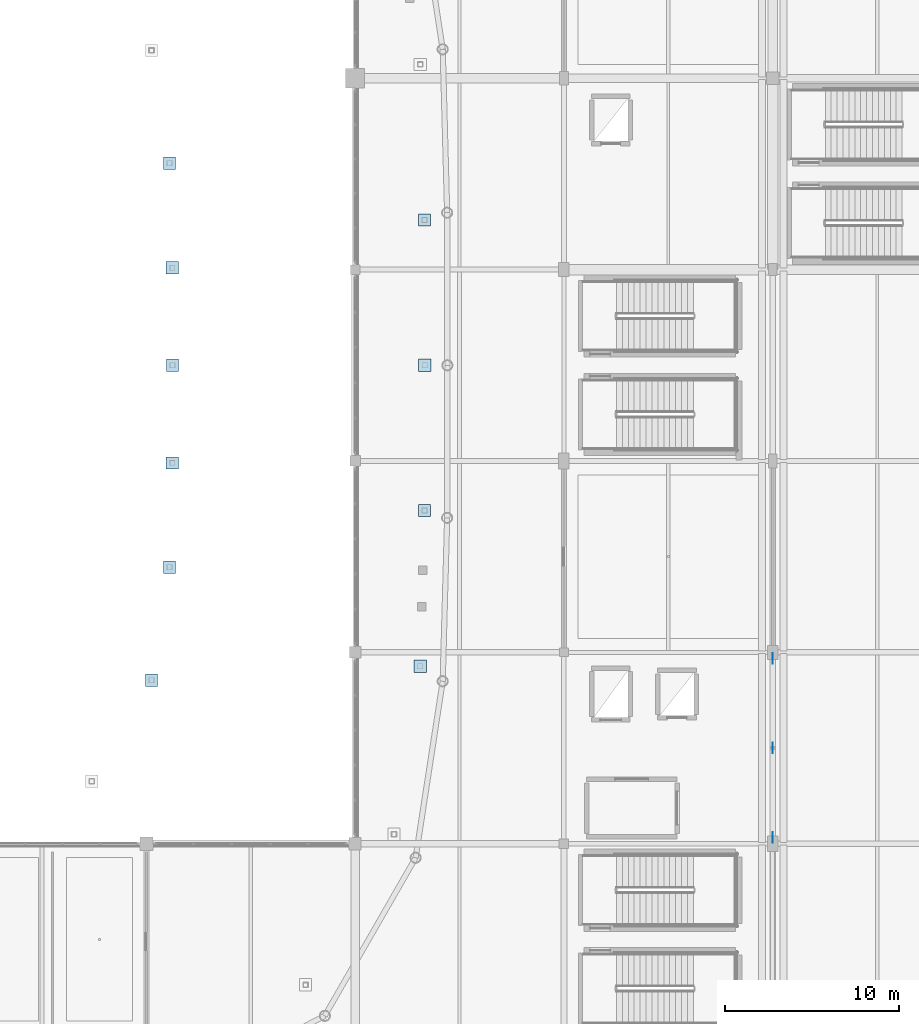
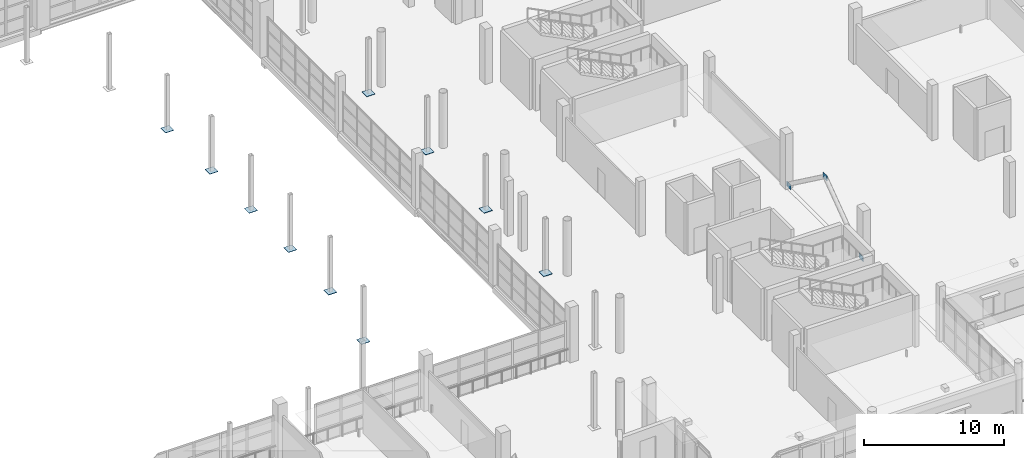
# One storey, part 88 of 143: 13 plates.
"""IFC4 building model written with IfcOpenShell, lengths in metres."""

from ifc_helpers import new_model, si_unit, direction, frame, origin, origin_2d, place, context, subcontext, project, spatial, rectangle, extrude, material, layer, layer_set, type_object, element, save


model = new_model("IFC4")

# Units and contexts
model_context = context("Model", 3, precision=1e-05, world=origin(), true_north=direction((0.0, 1.0)))
body_context = subcontext(model_context, "Body", "Model", "MODEL_VIEW")
ifc_project = project(units=[si_unit("LENGTHUNIT", "METRE"), si_unit("AREAUNIT", "SQUARE_METRE"), si_unit("VOLUMEUNIT", "CUBIC_METRE"), si_unit("PLANEANGLEUNIT", "RADIAN"), si_unit("MASSUNIT", "GRAM", prefix="KILO")], contexts=[model_context])

# Site, building, storey
site_placement = place(None, origin())
site = spatial("IfcSite", under=ifc_project, at=site_placement, CompositionType="ELEMENT")
building_placement = place(site_placement, origin())
building = spatial("IfcBuilding", under=site, at=building_placement, Name="Luwafu Chhajja Arena", CompositionType="ELEMENT")
storey_placement = place(building_placement, frame((0.0, 0.0, 5.39990234375)))
storey = spatial("IfcBuildingStorey", under=building, at=storey_placement, Name="L01", CompositionType="ELEMENT", Elevation=5.39990234375)

# Plates
ifc_material = material(Name="Steel S355", Category="steel")
ifc_layer_1 = layer(ifc_material, 0.031982421875, Name="Steel S355")
ifc_layer_set_1 = layer_set([ifc_layer_1], Name="Steel S355")
plate_type_1 = type_object("IfcPlateType", Name="Atrium Column Base Plate BP-2", PredefinedType="USERDEFINED", material=ifc_layer_set_1)
for number, where, z_axis, x_axis, name in (
    (1, (129.5, 49.5, 0.0), (0.0, 0.0, 1.0), (1.0, 0.0, 0.0), "Raker Post Base Plate BP-2 UI01"),
    (2, (129.49169921875, 55.10791015625, 0.0), (0.0, 0.0, 1.0), (1.0, 0.0, 0.0), "Raker Post Base Plate BP-2 UI02"),
    (3, (129.323486328125, 61.11328125, 0.0), (0.0, 0.0, 1.0), (1.0, 0.0, 0.0), "Raker Post Base Plate BP-2 UI03"),
    (4, (128.298583984375, 31.399658203125, 0.0), (0.0, 0.0, 1.0), (1.0, 0.0, 0.0), "Raker Post Base Plate BP-2 UI30"),
    (5, (129.323486328125, 37.88671875, 0.0), (0.0, 0.0, 1.0), (1.0, 0.0, 0.0), "Raker Post Base Plate BP-2 UI31"),
    (6, (129.49169921875, 43.89208984375, 0.0), (0.0, 0.0, 1.0), (1.0, 0.0, 0.0), "Raker Post Base Plate BP-2 UI32"),
    (7, (144.0, 49.5, 0.0), (0.0, 0.0, 1.0), (1.0, 0.0, 0.0), "Raker Post Base Plate BP-2 UO01"),
    (8, (143.98779296875, 57.85205078125, 0.0), (0.0, 0.0, 1.0), (1.0, 0.0, 0.0), "Raker Post Base Plate BP-2 UO02"),
    (9, (143.739501953125, 32.20361328125, 0.0), (0.0, 0.0, 1.0), (1.0, 0.0, 0.0), "Raker Post Base Plate BP-2 UO31"),
    (10, (143.98779296875, 41.14794921875, 0.0), (0.0, 0.0, 1.0), (1.0, 0.0, 0.0), "Raker Post Base Plate BP-2 UO32"),
):
    element("IfcPlate", number, at=place(storey_placement, frame(where, z_axis=z_axis, x_axis=x_axis)), inside=storey, type_object=plate_type_1, Name=name, ObjectType="BASE PLATE", PredefinedType="USERDEFINED", context=body_context, shape_type="SweptSolid", body=[
        extrude(rectangle(XDim=0.699951171875, YDim=0.699951171875, at=origin_2d()), origin(), (0.0, 0.0, 1.0), 0.031982421875),
    ])
ifc_layer_2 = layer(ifc_material, 0.02197265625, Name="Steel S355")
ifc_layer_set_2 = layer_set([ifc_layer_2], Name="Steel S355")
plate_type_2 = type_object("IfcPlateType", Name="Lateral Brace Gusset Plate BN-1", PredefinedType="USERDEFINED", material=ifc_layer_set_2)
for number, where, z_axis, x_axis, name in (
    (11, (164.0, 27.5, 3.93505859375), (0.0, 0.0, 1.0), (1.0, 0.0, 0.0), "L01 Chevron Apex Gusset Plate BN-1 08"),
    (12, (164.0, 22.35009765625, 0.02490234375), (0.0, 0.0, 1.0), (1.0, 0.0, 0.0), "L01 Brace Base Gusset BN-1 08A"),
    (13, (164.0, 32.64990234375, 0.02490234375), (0.0, 0.0, 1.0), (1.0, 0.0, 0.0), "L01 Brace Base Gusset BN-1 08B"),
):
    element("IfcPlate", number, at=place(storey_placement, frame(where, z_axis=z_axis, x_axis=x_axis)), inside=storey, type_object=plate_type_2, Name=name, ObjectType="GUSSET PLATE", PredefinedType="USERDEFINED", context=body_context, shape_type="SweptSolid", body=[
        extrude(rectangle(XDim=0.02197265625, YDim=0.60009765625, at=origin_2d()), origin(), (0.0, 0.0, 1.0), 0.449951171875),
    ])

save(model, "model.ifc")
